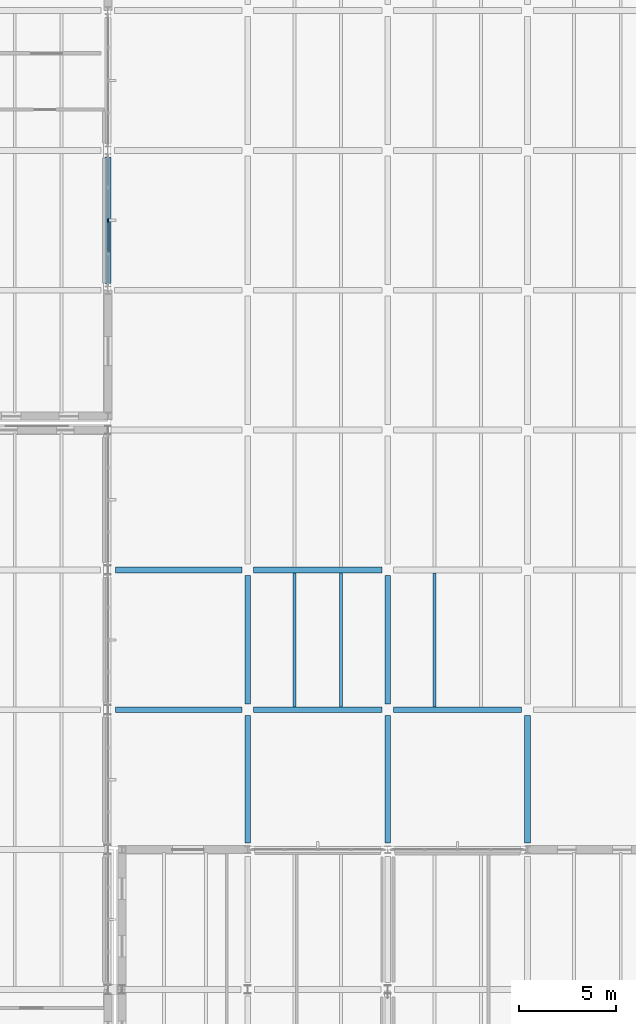
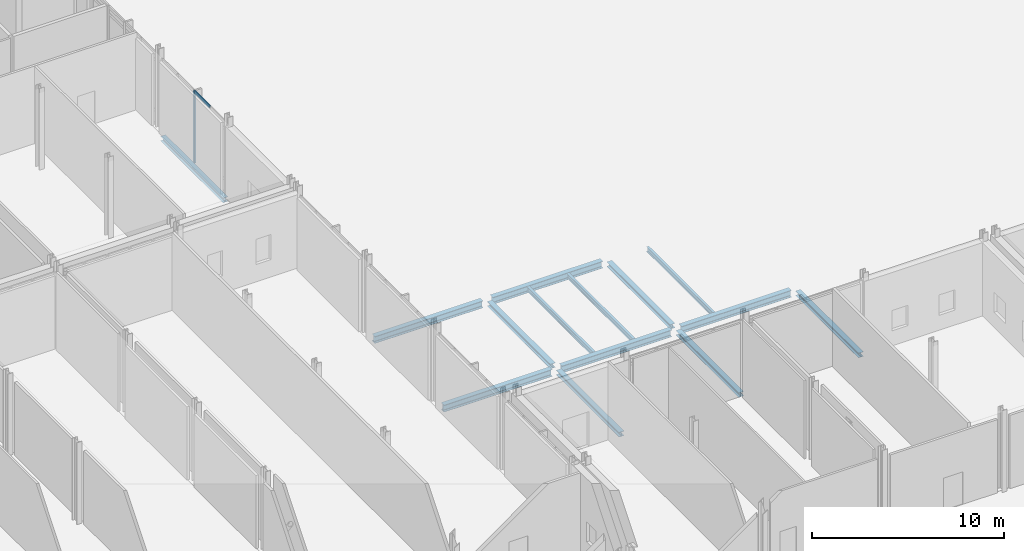
# One storey, part 20 of 89: 14 beams, 2 members, 1 element without a shape of its own.
"""IFC4 building model written with IfcOpenShell, lengths in metres."""

from ifc_helpers import new_model, si_unit, direction, frame, origin, origin_2d, place, context, subcontext, project, spatial, rectangle, i_section, extrude, material, layer, layer_set, material_profile, profile_set, type_object, element, aggregate, save


model = new_model("IFC4")

# Units and contexts
model_context = context("Model", 3, precision=1e-05, world=origin(), true_north=direction((0.0, 1.0)))
body_context = subcontext(model_context, "Body", "Model", "MODEL_VIEW")
ifc_project = project(units=[si_unit("LENGTHUNIT", "METRE"), si_unit("AREAUNIT", "SQUARE_METRE"), si_unit("VOLUMEUNIT", "CUBIC_METRE"), si_unit("PLANEANGLEUNIT", "RADIAN"), si_unit("MASSUNIT", "GRAM", prefix="KILO")], contexts=[model_context])

# Site, building, storey
site_placement = place(None, origin())
site = spatial("IfcSite", under=ifc_project, at=site_placement, CompositionType="ELEMENT")
building_placement = place(site_placement, origin())
building = spatial("IfcBuilding", under=site, at=building_placement, Name="Zarrinpeak Specialist Clinic", CompositionType="ELEMENT")
storey_placement = place(building_placement, origin())
storey = spatial("IfcBuildingStorey", under=building, at=storey_placement, Name="L00", CompositionType="ELEMENT", Elevation=0.0)

# Beams
ifc_material_1 = material(Name="Steel S355", Category="steel")
ifc_material_profile_1 = material_profile(ifc_material_1, i_section(OverallWidth=0.300048828125, OverallDepth=0.2900390625, WebThickness=0.008544921875, FlangeThickness=0.013916015625, FilletRadius=0.027099609375, at=origin_2d()), Name="HEA 300")
ifc_profile_set_1 = profile_set([ifc_material_profile_1], Name="Steel S355")
beam_type_1 = type_object("IfcBeamType", Name="BM-HEA300", PredefinedType="BEAM", material=ifc_profile_set_1)
beam_1_placement = place(storey_placement, frame((28.800048828125, 57.947998046875, -0.405029296875), z_axis=(0.0, 1.0, 0.0), x_axis=(-1.0, 0.0, 0.0)))
element("IfcBeam", 1, at=beam_1_placement, inside=storey, type_object=beam_type_1, Name="L00 Primary Beam BM-L00-Y0259", PredefinedType="BEAM", context=body_context, shape_type="SweptSolid", body=[
    extrude(i_section(OverallWidth=0.300048828125, OverallDepth=0.2900390625, WebThickness=0.008544921875, FlangeThickness=0.013916015625, FilletRadius=0.027099609375, at=origin_2d()), origin(), (0.0, 0.0, 1.0), 6.50390625),
])
beam_2_placement = place(storey_placement, frame((36.0, 29.14794921875, -0.364990234375), z_axis=(0.0, 1.0, 0.0), x_axis=(-1.0, 0.0, 0.0)))
element("IfcBeam", 2, at=beam_2_placement, inside=storey, type_object=beam_type_1, Name="L00 Primary Beam BM-L00-Y0267", PredefinedType="BEAM", context=body_context, shape_type="SweptSolid", body=[
    extrude(i_section(OverallWidth=0.300048828125, OverallDepth=0.2900390625, WebThickness=0.008544921875, FlangeThickness=0.013916015625, FilletRadius=0.027099609375, at=origin_2d()), origin(), (0.0, 0.0, 1.0), 6.553955078125),
])
beam_3_placement = place(storey_placement, frame((36.0, 36.298095703125, -0.364990234375), z_axis=(0.0, 1.0, 0.0), x_axis=(-1.0, 0.0, 0.0)))
element("IfcBeam", 3, at=beam_3_placement, inside=storey, type_object=beam_type_1, Name="L00 Primary Beam BM-L00-Y0268", PredefinedType="BEAM", context=body_context, shape_type="SweptSolid", body=[
    extrude(i_section(OverallWidth=0.300048828125, OverallDepth=0.2900390625, WebThickness=0.008544921875, FlangeThickness=0.013916015625, FilletRadius=0.027099609375, at=origin_2d()), origin(), (0.0, 0.0, 1.0), 6.60400390625),
])
beam_4_placement = place(storey_placement, frame((43.199951171875, 29.14794921875, -0.364990234375), z_axis=(0.0, 1.0, 0.0), x_axis=(-1.0, 0.0, 0.0)))
element("IfcBeam", 4, at=beam_4_placement, inside=storey, type_object=beam_type_1, Name="L00 Primary Beam BM-L00-Y0282", PredefinedType="BEAM", context=body_context, shape_type="SweptSolid", body=[
    extrude(i_section(OverallWidth=0.300048828125, OverallDepth=0.2900390625, WebThickness=0.008544921875, FlangeThickness=0.013916015625, FilletRadius=0.027099609375, at=origin_2d()), origin(), (0.0, 0.0, 1.0), 6.553955078125),
])
beam_5_placement = place(storey_placement, frame((43.199951171875, 36.298095703125, -0.364990234375), z_axis=(0.0, 1.0, 0.0), x_axis=(-1.0, 0.0, 0.0)))
element("IfcBeam", 5, at=beam_5_placement, inside=storey, type_object=beam_type_1, Name="L00 Primary Beam BM-L00-Y0283", PredefinedType="BEAM", context=body_context, shape_type="SweptSolid", body=[
    extrude(i_section(OverallWidth=0.300048828125, OverallDepth=0.2900390625, WebThickness=0.008544921875, FlangeThickness=0.013916015625, FilletRadius=0.027099609375, at=origin_2d()), origin(), (0.0, 0.0, 1.0), 6.60400390625),
])
beam_6_placement = place(storey_placement, frame((50.39990234375, 29.14794921875, -0.364990234375), z_axis=(0.0, 1.0, 0.0), x_axis=(-1.0, 0.0, 0.0)))
element("IfcBeam", 6, at=beam_6_placement, inside=storey, type_object=beam_type_1, Name="L00 Primary Beam BM-L00-Y0299", PredefinedType="BEAM", context=body_context, shape_type="SweptSolid", body=[
    extrude(i_section(OverallWidth=0.300048828125, OverallDepth=0.2900390625, WebThickness=0.008544921875, FlangeThickness=0.013916015625, FilletRadius=0.027099609375, at=origin_2d()), origin(), (0.0, 0.0, 1.0), 6.553955078125),
])
ifc_material_profile_2 = material_profile(ifc_material_1, i_section(OverallWidth=0.300048828125, OverallDepth=0.43994140625, WebThickness=0.011474609375, FlangeThickness=0.02099609375, FilletRadius=0.027099609375, at=origin_2d()), Name="HEA 450")
ifc_profile_set_2 = profile_set([ifc_material_profile_2], Name="Steel S355")
beam_type_2 = type_object("IfcBeamType", Name="BM-HEA450", PredefinedType="BEAM", material=ifc_profile_set_2)
beam_7_placement = place(storey_placement, frame((29.197998046875, 36.0, -0.43994140625), z_axis=(1.0, 0.0, 0.0), x_axis=(0.0, 1.0, 0.0)))
element("IfcBeam", 7, at=beam_7_placement, inside=storey, type_object=beam_type_2, Name="L00 Primary Floor Girder BM-L00-X0060", PredefinedType="BEAM", context=body_context, shape_type="SweptSolid", body=[
    extrude(i_section(OverallWidth=0.300048828125, OverallDepth=0.43994140625, WebThickness=0.011474609375, FlangeThickness=0.02099609375, FilletRadius=0.027099609375, at=origin_2d()), origin(), (0.0, 0.0, 1.0), 6.50390625),
])
for number, where, z_axis, x_axis, name in (
    (8, (36.298095703125, 36.0, -0.43994140625), (1.0, 0.0, 0.0), (0.0, 1.0, 0.0), "L00 Primary Floor Girder BM-L00-X0061"),
    (9, (43.498046875, 36.0, -0.43994140625), (1.0, 0.0, 0.0), (0.0, 1.0, 0.0), "L00 Primary Floor Girder BM-L00-X0062"),
):
    element("IfcBeam", number, at=place(storey_placement, frame(where, z_axis=z_axis, x_axis=x_axis)), inside=storey, type_object=beam_type_2, Name=name, PredefinedType="BEAM", context=body_context, shape_type="SweptSolid", body=[
        extrude(i_section(OverallWidth=0.300048828125, OverallDepth=0.43994140625, WebThickness=0.011474609375, FlangeThickness=0.02099609375, FilletRadius=0.027099609375, at=origin_2d()), origin(), (0.0, 0.0, 1.0), 6.60400390625),
    ])
beam_8_placement = place(storey_placement, frame((29.197998046875, 43.199951171875, -0.43994140625), z_axis=(1.0, 0.0, 0.0), x_axis=(0.0, 1.0, 0.0)))
element("IfcBeam", 10, at=beam_8_placement, inside=storey, type_object=beam_type_2, Name="L00 Primary Floor Girder BM-L00-X0082", PredefinedType="BEAM", context=body_context, shape_type="SweptSolid", body=[
    extrude(i_section(OverallWidth=0.300048828125, OverallDepth=0.43994140625, WebThickness=0.011474609375, FlangeThickness=0.02099609375, FilletRadius=0.027099609375, at=origin_2d()), origin(), (0.0, 0.0, 1.0), 6.50390625),
])
beam_9_placement = place(storey_placement, frame((36.298095703125, 43.199951171875, -0.43994140625), z_axis=(1.0, 0.0, 0.0), x_axis=(0.0, 1.0, 0.0)))
element("IfcBeam", 11, at=beam_9_placement, inside=storey, type_object=beam_type_2, Name="L00 Primary Floor Girder BM-L00-X0083", PredefinedType="BEAM", context=body_context, shape_type="SweptSolid", body=[
    extrude(i_section(OverallWidth=0.300048828125, OverallDepth=0.43994140625, WebThickness=0.011474609375, FlangeThickness=0.02099609375, FilletRadius=0.027099609375, at=origin_2d()), origin(), (0.0, 0.0, 1.0), 6.60400390625),
])
ifc_material_profile_3 = material_profile(ifc_material_1, i_section(OverallWidth=0.14990234375, OverallDepth=0.300048828125, WebThickness=0.007080078125, FlangeThickness=0.0107421875, FilletRadius=0.014892578125, at=origin_2d()), Name="IPE 300")
ifc_profile_set_3 = profile_set([ifc_material_profile_3], Name="Steel S355")
beam_type_3 = type_object("IfcBeamType", Name="BM-JST300", PredefinedType="JOIST", material=ifc_profile_set_3)
for number, where, z_axis, x_axis, name in (
    (12, (38.39990234375, 36.14794921875, -0.3701171875), (0.0, 1.0, 0.0), (-1.0, 0.0, 0.0), "L00 Composite Floor Joist JST-L00-0604"),
    (13, (40.800048828125, 36.14794921875, -0.3701171875), (0.0, 1.0, 0.0), (-1.0, 0.0, 0.0), "L00 Composite Floor Joist JST-L00-0605"),
    (14, (45.60009765625, 36.14794921875, -0.3701171875), (0.0, 1.0, 0.0), (-1.0, 0.0, 0.0), "L00 Composite Floor Joist JST-L00-0616"),
):
    element("IfcBeam", number, at=place(storey_placement, frame(where, z_axis=z_axis, x_axis=x_axis)), inside=storey, type_object=beam_type_3, Name=name, PredefinedType="JOIST", context=body_context, shape_type="SweptSolid", body=[
        extrude(i_section(OverallWidth=0.14990234375, OverallDepth=0.300048828125, WebThickness=0.007080078125, FlangeThickness=0.0107421875, FilletRadius=0.014892578125, at=origin_2d()), origin(), (0.0, 0.0, 1.0), 6.904052734375),
    ])

# Curtain wall, members
ifc_material_2 = material(Name="Anodised Aluminium Alloy 6063-T6", Category="aluminium")
ifc_layer = layer(ifc_material_2, 0.179931640625)
ifc_layer_set = layer_set([ifc_layer], Name="Anodised Aluminium Alloy 6063-T6")
curtain_wall_type = type_object("IfcCurtainWallType", Name="CW-COURT", PredefinedType="NOTDEFINED", material=ifc_layer_set)
curtain_wall_placement = place(storey_placement, origin())
curtain_wall = element("IfcCurtainWall", 15, at=curtain_wall_placement, inside=storey, type_object=curtain_wall_type, Name="L00 V5 Unitised Curtain Wall CW-L00-V5-121", PredefinedType="NOTDEFINED")
ifc_material_profile_4 = material_profile(ifc_material_2, rectangle(XDim=0.074951171875, YDim=0.179931640625, at=origin_2d()), Name="ALU 75x180")
ifc_profile_set_4 = profile_set([ifc_material_profile_4], Name="Anodised Aluminium Alloy 6063-T6")
member_type_1 = type_object("IfcMemberType", Name="CWM-75", PredefinedType="MULLION", material=ifc_profile_set_4)
member_1_placement = place(storey_placement, frame((28.800048828125, 61.199951171875, 0.0), z_axis=(0.0, 0.0, 1.0), x_axis=(-1.0, 0.0, 0.0)))
member_1 = element("IfcMember", 16, at=member_1_placement, type_object=member_type_1, Name="CW-01 mullion 3", PredefinedType="MULLION", context=body_context, shape_type="SweptSolid", body=[
    extrude(rectangle(XDim=0.074951171875, YDim=0.179931640625, at=origin_2d()), origin(), (0.0, 0.0, 1.0), 4.56494140625),
])
ifc_material_profile_5 = material_profile(ifc_material_2, rectangle(XDim=0.074951171875, YDim=0.159912109375, at=origin_2d()), Name="ALU 75x160")
ifc_profile_set_5 = profile_set([ifc_material_profile_5], Name="Anodised Aluminium Alloy 6063-T6")
member_type_2 = type_object("IfcMemberType", Name="CWT-75", PredefinedType="USERDEFINED", material=ifc_profile_set_5)
member_2_placement = place(storey_placement, frame((28.800048828125, 59.550048828125, 4.527587890625), z_axis=(0.0, 1.0, 0.0), x_axis=(-1.0, 0.0, 0.0)))
member_2 = element("IfcMember", 17, at=member_2_placement, type_object=member_type_2, Name="CW-01 transom 2.4", ObjectType="TRANSOM", PredefinedType="USERDEFINED", context=body_context, shape_type="SweptSolid", body=[
    extrude(rectangle(XDim=0.074951171875, YDim=0.159912109375, at=origin_2d()), origin(), (0.0, 0.0, 1.0), 1.612548828125),
])
aggregate(curtain_wall, [member_1, member_2])

save(model, "model.ifc")
